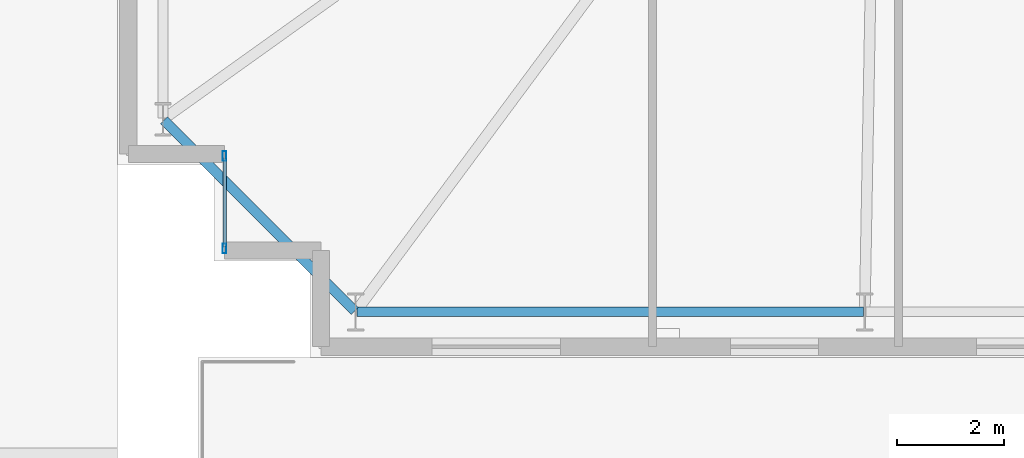
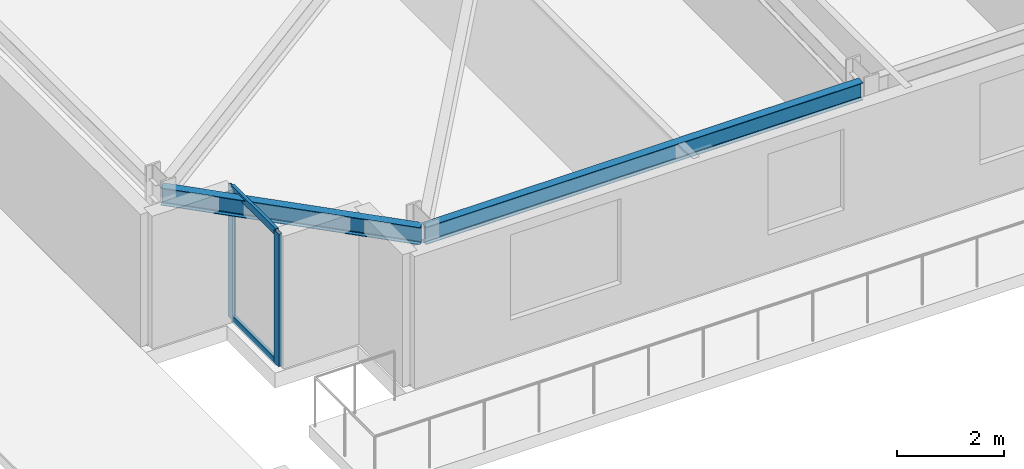
# One storey, part 4 of 21: 4 members, 2 beams, 1 element without a shape of its own.
"""IFC4 building model written with IfcOpenShell, lengths in metres."""

from ifc_helpers import new_model, si_unit, direction, frame, origin, origin_2d, place, context, subcontext, project, spatial, hollow_rectangle, i_section, extrude, material, layer, layer_set, material_profile, profile_set, type_object, element, aggregate, save


model = new_model("IFC4")

# Units and contexts
model_context = context("Model", 3, precision=1e-05, world=origin(), true_north=direction((0.0, 1.0)))
body_context = subcontext(model_context, "Body", "Model", "MODEL_VIEW")
ifc_project = project(units=[si_unit("LENGTHUNIT", "METRE"), si_unit("AREAUNIT", "SQUARE_METRE"), si_unit("VOLUMEUNIT", "CUBIC_METRE"), si_unit("PLANEANGLEUNIT", "RADIAN"), si_unit("MASSUNIT", "GRAM", prefix="KILO")], contexts=[model_context])

# Site, building, storey
site_placement = place(None, origin())
site = spatial("IfcSite", under=ifc_project, at=site_placement, CompositionType="ELEMENT")
building_placement = place(site_placement, origin())
building = spatial("IfcBuilding", under=site, at=building_placement, Name="Qobustan Lattice House", CompositionType="ELEMENT")
storey_placement = place(building_placement, frame((0.0, 0.0, 27.0)))
storey = spatial("IfcBuildingStorey", under=building, at=storey_placement, Name="L06", CompositionType="ELEMENT", Elevation=27.0)

# Beams
ifc_material_1 = material(Name="Steel S355", Category="steel")
ifc_material_profile_1 = material_profile(ifc_material_1, i_section(OverallWidth=0.179931640625, OverallDepth=0.39990234375, WebThickness=0.008544921875, FlangeThickness=0.013427734375, FilletRadius=0.02099609375, at=origin_2d()), Name="IPE400")
ifc_profile_set_1 = profile_set([ifc_material_profile_1], Name="Steel S355")
beam_type = type_object("IfcBeamType", Name="BM-SPD-IPE400", PredefinedType="SPANDREL", material=ifc_profile_set_1)
beam_1_placement = place(storey_placement, frame((-28.52490234375, -18.75, 2.8349609375), z_axis=(1.0, 0.0, 0.0), x_axis=(0.0, 1.0, 0.0)))
element("IfcBeam", 1, at=beam_1_placement, inside=storey, type_object=beam_type, Name="L06 perimeter spandrel S1-S2", PredefinedType="SPANDREL", context=body_context, shape_type="SweptSolid", body=[
    extrude(i_section(OverallWidth=0.179931640625, OverallDepth=0.39990234375, WebThickness=0.008544921875, FlangeThickness=0.013427734375, FilletRadius=0.02099609375, at=origin_2d()), origin(), (0.0, 0.0, 1.0), 9.466552734375),
])
beam_2_placement = place(storey_placement, frame((-32.13232421875, -15.167724609375, 2.8349609375), z_axis=(0.707106781187, -0.707106781187, 0.0), x_axis=(0.707106781187, 0.707106781187, 0.0)))
element("IfcBeam", 2, at=beam_2_placement, inside=storey, type_object=beam_type, Name="L06 perimeter spandrel W4-S1", PredefinedType="SPANDREL", context=body_context, shape_type="SweptSolid", body=[
    extrude(i_section(OverallWidth=0.179931640625, OverallDepth=0.39990234375, WebThickness=0.008544921875, FlangeThickness=0.013427734375, FilletRadius=0.02099609375, at=origin_2d()), origin(), (0.0, 0.0, 1.0), 5.041259765625),
])

# Curtain wall, members
ifc_material_2 = material(Name="Anodised aluminium and low-E glazing", Category="aluminium")
ifc_layer = layer(ifc_material_2, 0.219970703125)
ifc_layer_set = layer_set([ifc_layer], Name="Anodised aluminium and low-E glazing")
curtain_wall_type = type_object("IfcCurtainWallType", Name="CW-FAC-01", PredefinedType="USERDEFINED", material=ifc_layer_set)
curtain_wall_placement = place(storey_placement, origin())
curtain_wall = element("IfcCurtainWall", 3, at=curtain_wall_placement, inside=storey, type_object=curtain_wall_type, Name="L06 serrated corner faceted glazing 3", ObjectType="CURTAIN WALL", PredefinedType="USERDEFINED")
ifc_material_3 = material(Name="Anodised aluminium EN AW-6063 T6", Category="aluminium")
ifc_material_profile_2 = material_profile(ifc_material_3, hollow_rectangle(XDim=0.070068359375, YDim=0.179931640625, WallThickness=0.00439453125, at=origin_2d()), Name="CWM-180x70")
ifc_profile_set_2 = profile_set([ifc_material_profile_2], Name="Anodised aluminium EN AW-6063 T6")
member_type_1 = type_object("IfcMemberType", Name="CWM-STD-180", PredefinedType="MULLION", material=ifc_profile_set_2)
member_1_placement = place(storey_placement, frame((-31.0, -17.56494140625, 0.0), z_axis=(0.0, 0.0, 1.0), x_axis=(-1.0, 0.0, 0.0)))
member_1 = element("IfcMember", 4, at=member_1_placement, type_object=member_type_1, Name="CW-F1 mullion 1", PredefinedType="MULLION", context=body_context, shape_type="SweptSolid", body=[
    extrude(hollow_rectangle(XDim=0.070068359375, YDim=0.179931640625, WallThickness=0.00439453125, at=origin_2d()), origin(), (0.0, 0.0, 1.0), 3.034912109375),
])
member_2_placement = place(storey_placement, frame((-31.0, -15.8349609375, 0.0), z_axis=(0.0, 0.0, 1.0), x_axis=(-1.0, 0.0, 0.0)))
member_2 = element("IfcMember", 5, at=member_2_placement, type_object=member_type_1, Name="CW-F1 mullion 2", PredefinedType="MULLION", context=body_context, shape_type="SweptSolid", body=[
    extrude(hollow_rectangle(XDim=0.070068359375, YDim=0.179931640625, WallThickness=0.00439453125, at=origin_2d()), origin(), (0.0, 0.0, 1.0), 3.034912109375),
])
ifc_material_4 = material(Name="Anodised aluminium EN AW-6063 T6", Category="aluminium")
ifc_material_profile_3 = material_profile(ifc_material_4, hollow_rectangle(XDim=0.06494140625, YDim=0.159912109375, WallThickness=0.00390625, at=origin_2d()), Name="CWT-160x65")
ifc_profile_set_3 = profile_set([ifc_material_profile_3], Name="Anodised aluminium EN AW-6063 T6")
member_type_2 = type_object("IfcMemberType", Name="CWT-HOR-160", PredefinedType="USERDEFINED", material=ifc_profile_set_3)
member_3_placement = place(storey_placement, frame((-31.0, -17.530029296875, 0.032470703125), z_axis=(0.0, 1.0, 0.0), x_axis=(-1.0, 0.0, 0.0)))
member_3 = element("IfcMember", 6, at=member_3_placement, type_object=member_type_2, Name="CW-F1 transom 1.1", ObjectType="TRANSOM", PredefinedType="USERDEFINED", context=body_context, shape_type="SweptSolid", body=[
    extrude(hollow_rectangle(XDim=0.06494140625, YDim=0.159912109375, WallThickness=0.00390625, at=origin_2d()), origin(), (0.0, 0.0, 1.0), 1.659912109375),
])
member_4_placement = place(storey_placement, frame((-31.0, -17.530029296875, 3.00244140625), z_axis=(0.0, 1.0, 0.0), x_axis=(-1.0, 0.0, 0.0)))
member_4 = element("IfcMember", 7, at=member_4_placement, type_object=member_type_2, Name="CW-F1 transom 1.2", ObjectType="TRANSOM", PredefinedType="USERDEFINED", context=body_context, shape_type="SweptSolid", body=[
    extrude(hollow_rectangle(XDim=0.06494140625, YDim=0.159912109375, WallThickness=0.00390625, at=origin_2d()), origin(), (0.0, 0.0, 1.0), 1.659912109375),
])
aggregate(curtain_wall, [member_1, member_2, member_3, member_4])

save(model, "model.ifc")
